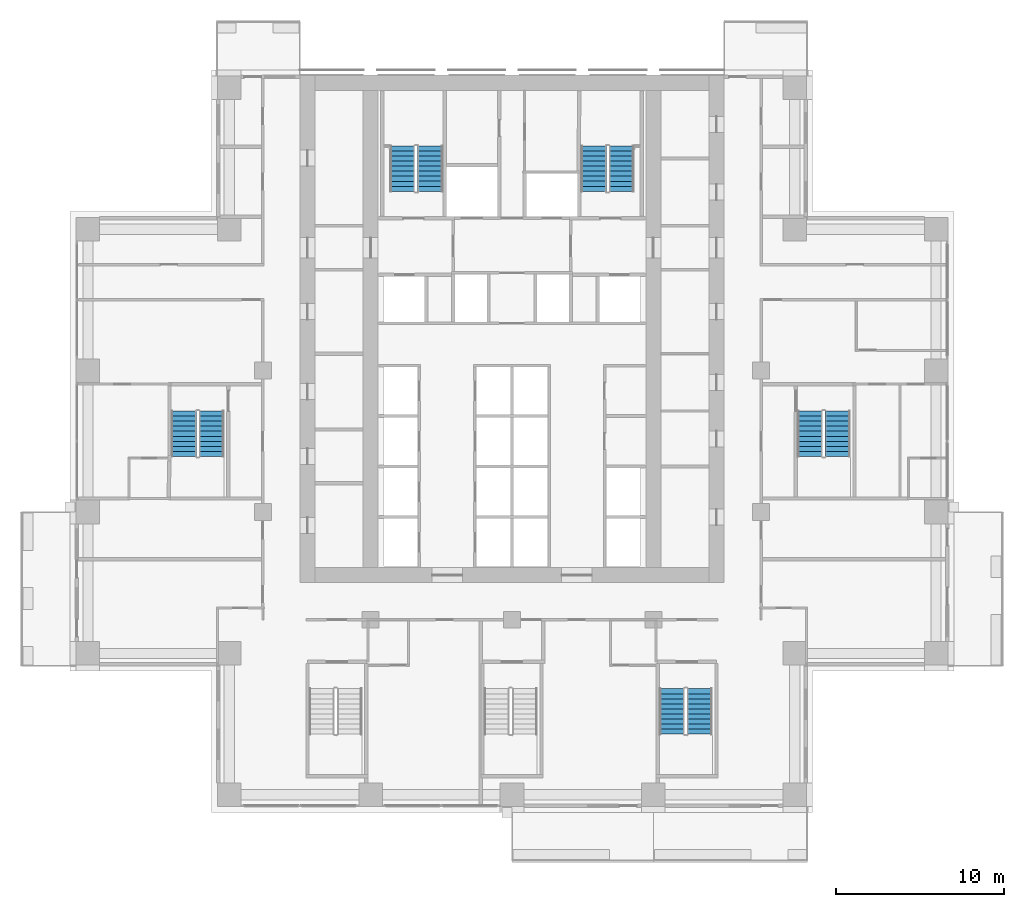
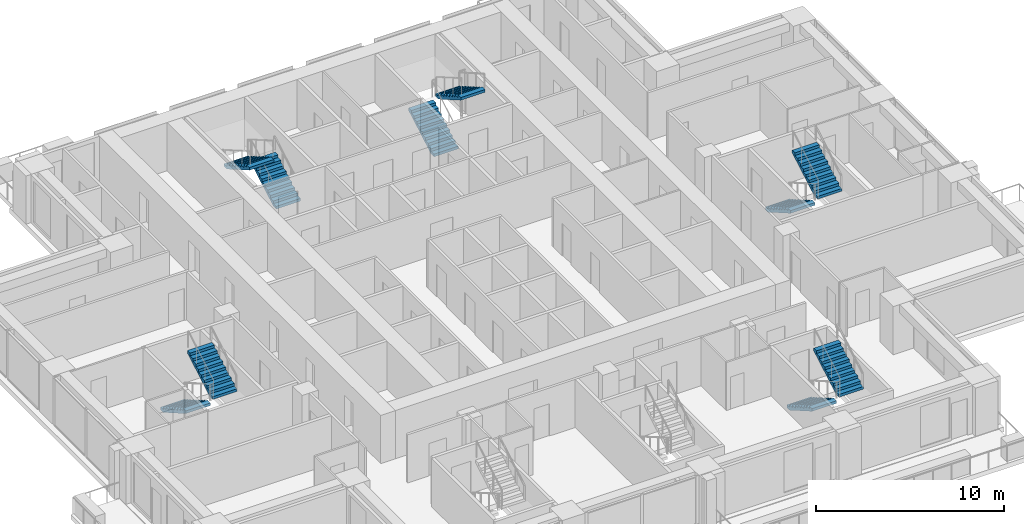
# One storey, part 14 of 17: 10 stair flights, 5 elements without a shape of their own.
"""IFC4 building model written with IfcOpenShell, lengths in metres."""

from ifc_helpers import new_model, si_unit, direction, frame, origin, place, context, subcontext, project, spatial, polyline, outline, extrude, material, type_object, element, aggregate, save


model = new_model("IFC4")

# Units and contexts
model_context = context("Model", 3, precision=1e-05, world=origin(), true_north=direction((0.0, 1.0)))
body_context = subcontext(model_context, "Body", "Model", "MODEL_VIEW")
ifc_project = project(units=[si_unit("LENGTHUNIT", "METRE"), si_unit("AREAUNIT", "SQUARE_METRE"), si_unit("VOLUMEUNIT", "CUBIC_METRE"), si_unit("PLANEANGLEUNIT", "RADIAN"), si_unit("MASSUNIT", "GRAM", prefix="KILO")], contexts=[model_context])

# Site, building, storey
site_placement = place(None, origin())
site = spatial("IfcSite", under=ifc_project, at=site_placement, CompositionType="ELEMENT")
building_placement = place(site_placement, origin())
building = spatial("IfcBuilding", under=site, at=building_placement, Name="Vermilion Ogive Tower", CompositionType="ELEMENT")
storey_placement = place(building_placement, frame((0.0, 0.0, 65.550048828125)))
storey = spatial("IfcBuildingStorey", under=building, at=storey_placement, Name="L15", CompositionType="ELEMENT", Elevation=65.550048828125)

# Stair, stair flights
ifc_material_1 = material(Name="Concrete B40", Category="concrete")
stair_type = type_object("IfcStairType", Name="Exit stair 1500", PredefinedType="HALF_TURN_STAIR", material=ifc_material_1)
stair_1_placement = place(storey_placement, origin())
stair_1 = element("IfcStair", 1, at=stair_1_placement, inside=storey, type_object=stair_type, Name="L15 Exit Stair ST1", PredefinedType="HALF_TURN_STAIR")
ifc_material_2 = material(Name="Concrete B40", Category="concrete")
stair_flight_type = type_object("IfcStairFlightType", Name="Stair flight 1500", PredefinedType="STRAIGHT", material=ifc_material_2)
stair_flight_1_placement = place(storey_placement, frame((-4.85009765625, 14.85009765625, 0.0), z_axis=(0.0, 0.0, 1.0), x_axis=(0.0, 1.0, 0.0)))
stair_flight_1 = element("IfcStairFlight", 2, at=stair_flight_1_placement, type_object=stair_flight_type, Name="ST1 flight 1", NumberOfRisers=10, NumberOfTreads=9, PredefinedType="STRAIGHT", RiserHeight=0.1725, TreadLength=0.3, context=body_context, shape_type="SweptSolid", body=[
    extrude(outline(polyline([(0.0, 0.0), (0.0, 0.172607421875), (0.300048828125, 0.172607421875), (0.300048828125, 0.344970703125), (0.60009765625, 0.344970703125), (0.60009765625, 0.517578125), (0.89990234375, 0.517578125), (0.89990234375, 0.68994140625), (1.199951171875, 0.68994140625), (1.199951171875, 0.862548828125), (1.5, 0.862548828125), (1.5, 1.034912109375), (1.800048828125, 1.034912109375), (1.800048828125, 1.20751953125), (2.10009765625, 1.20751953125), (2.10009765625, 1.3798828125), (2.39990234375, 1.3798828125), (2.39990234375, 1.552490234375), (2.699951171875, 1.552490234375), (2.699951171875, 1.72509765625), (2.699951171875, 1.379638671875), (0.30078125, 0.0), (0.0, 0.0)])), frame((0.0, 0.75, 0.0), z_axis=(0.0, -1.0, 0.0), x_axis=(1.0, 0.0, 0.0)), (0.0, 0.0, 1.0), 1.5),
])
stair_flight_2_placement = place(storey_placement, frame((-6.5, 17.550048828125, 1.724853515625), z_axis=(0.0, 0.0, 1.0), x_axis=(0.0, -1.0, 0.0)))
stair_flight_2 = element("IfcStairFlight", 3, at=stair_flight_2_placement, type_object=stair_flight_type, Name="ST1 flight 2", NumberOfRisers=10, NumberOfTreads=9, PredefinedType="STRAIGHT", RiserHeight=0.1725, TreadLength=0.3, context=body_context, shape_type="SweptSolid", body=[
    extrude(outline(polyline([(0.0, 0.0), (0.0, 0.172607421875), (0.300048828125, 0.172607421875), (0.300048828125, 0.344970703125), (0.60009765625, 0.344970703125), (0.60009765625, 0.517578125), (0.89990234375, 0.517578125), (0.89990234375, 0.68994140625), (1.199951171875, 0.68994140625), (1.199951171875, 0.862548828125), (1.5, 0.862548828125), (1.5, 1.034912109375), (1.800048828125, 1.034912109375), (1.800048828125, 1.20751953125), (2.10009765625, 1.20751953125), (2.10009765625, 1.3798828125), (2.39990234375, 1.3798828125), (2.39990234375, 1.552490234375), (2.699951171875, 1.552490234375), (2.699951171875, 1.72509765625), (2.699951171875, 1.379638671875), (0.30078125, 0.0), (0.0, 0.0)])), frame((0.0, 0.75, 0.0), z_axis=(0.0, -1.0, 0.0), x_axis=(1.0, 0.0, 0.0)), (0.0, 0.0, 1.0), 1.5),
])
aggregate(stair_1, [stair_flight_1, stair_flight_2])

stair_2_placement = place(storey_placement, origin())
stair_2 = element("IfcStair", 4, at=stair_2_placement, inside=storey, type_object=stair_type, Name="L15 Exit Stair ST2", PredefinedType="HALF_TURN_STAIR")
stair_flight_3_placement = place(storey_placement, frame((4.85009765625, 14.85009765625, 0.0), z_axis=(0.0, 0.0, 1.0), x_axis=(0.0, 1.0, 0.0)))
stair_flight_3 = element("IfcStairFlight", 5, at=stair_flight_3_placement, type_object=stair_flight_type, Name="ST2 flight 1", NumberOfRisers=10, NumberOfTreads=9, PredefinedType="STRAIGHT", RiserHeight=0.1725, TreadLength=0.3, context=body_context, shape_type="SweptSolid", body=[
    extrude(outline(polyline([(0.0, 0.0), (0.0, 0.172607421875), (0.300048828125, 0.172607421875), (0.300048828125, 0.344970703125), (0.60009765625, 0.344970703125), (0.60009765625, 0.517578125), (0.89990234375, 0.517578125), (0.89990234375, 0.68994140625), (1.199951171875, 0.68994140625), (1.199951171875, 0.862548828125), (1.5, 0.862548828125), (1.5, 1.034912109375), (1.800048828125, 1.034912109375), (1.800048828125, 1.20751953125), (2.10009765625, 1.20751953125), (2.10009765625, 1.3798828125), (2.39990234375, 1.3798828125), (2.39990234375, 1.552490234375), (2.699951171875, 1.552490234375), (2.699951171875, 1.72509765625), (2.699951171875, 1.379638671875), (0.30078125, 0.0), (0.0, 0.0)])), frame((0.0, 0.75, 0.0), z_axis=(0.0, -1.0, 0.0), x_axis=(1.0, 0.0, 0.0)), (0.0, 0.0, 1.0), 1.5),
])
stair_flight_4_placement = place(storey_placement, frame((6.5, 17.550048828125, 1.724853515625), z_axis=(0.0, 0.0, 1.0), x_axis=(0.0, -1.0, 0.0)))
stair_flight_4 = element("IfcStairFlight", 6, at=stair_flight_4_placement, type_object=stair_flight_type, Name="ST2 flight 2", NumberOfRisers=10, NumberOfTreads=9, PredefinedType="STRAIGHT", RiserHeight=0.1725, TreadLength=0.3, context=body_context, shape_type="SweptSolid", body=[
    extrude(outline(polyline([(0.0, 0.0), (0.0, 0.172607421875), (0.300048828125, 0.172607421875), (0.300048828125, 0.344970703125), (0.60009765625, 0.344970703125), (0.60009765625, 0.517578125), (0.89990234375, 0.517578125), (0.89990234375, 0.68994140625), (1.199951171875, 0.68994140625), (1.199951171875, 0.862548828125), (1.5, 0.862548828125), (1.5, 1.034912109375), (1.800048828125, 1.034912109375), (1.800048828125, 1.20751953125), (2.10009765625, 1.20751953125), (2.10009765625, 1.3798828125), (2.39990234375, 1.3798828125), (2.39990234375, 1.552490234375), (2.699951171875, 1.552490234375), (2.699951171875, 1.72509765625), (2.699951171875, 1.379638671875), (0.30078125, 0.0), (0.0, 0.0)])), frame((0.0, 0.75, 0.0), z_axis=(0.0, -1.0, 0.0), x_axis=(1.0, 0.0, 0.0)), (0.0, 0.0, 1.0), 1.5),
])
aggregate(stair_2, [stair_flight_3, stair_flight_4])

stair_3_placement = place(storey_placement, origin())
stair_3 = element("IfcStair", 7, at=stair_3_placement, inside=storey, type_object=stair_type, Name="L15 Exit Stair ST5", PredefinedType="HALF_TURN_STAIR")
stair_flight_5_placement = place(storey_placement, frame((9.5, -14.699951171875, 0.0), z_axis=(0.0, 0.0, 1.0), x_axis=(0.0, -1.0, 0.0)))
stair_flight_5 = element("IfcStairFlight", 8, at=stair_flight_5_placement, type_object=stair_flight_type, Name="ST5 flight 1", NumberOfRisers=10, NumberOfTreads=9, PredefinedType="STRAIGHT", RiserHeight=0.1725, TreadLength=0.3, context=body_context, shape_type="SweptSolid", body=[
    extrude(outline(polyline([(0.0, 0.0), (0.0, 0.172607421875), (0.300048828125, 0.172607421875), (0.300048828125, 0.344970703125), (0.60009765625, 0.344970703125), (0.60009765625, 0.517578125), (0.89990234375, 0.517578125), (0.89990234375, 0.68994140625), (1.199951171875, 0.68994140625), (1.199951171875, 0.862548828125), (1.5, 0.862548828125), (1.5, 1.034912109375), (1.800048828125, 1.034912109375), (1.800048828125, 1.20751953125), (2.10009765625, 1.20751953125), (2.10009765625, 1.3798828125), (2.39990234375, 1.3798828125), (2.39990234375, 1.552490234375), (2.699951171875, 1.552490234375), (2.699951171875, 1.72509765625), (2.699951171875, 1.379638671875), (0.30078125, 0.0), (0.0, 0.0)])), frame((0.0, 0.75, 0.0), z_axis=(0.0, -1.0, 0.0), x_axis=(1.0, 0.0, 0.0)), (0.0, 0.0, 1.0), 1.5),
])
stair_flight_6_placement = place(storey_placement, frame((11.14990234375, -17.39990234375, 1.724853515625), z_axis=(0.0, 0.0, 1.0), x_axis=(0.0, 1.0, 0.0)))
stair_flight_6 = element("IfcStairFlight", 9, at=stair_flight_6_placement, type_object=stair_flight_type, Name="ST5 flight 2", NumberOfRisers=10, NumberOfTreads=9, PredefinedType="STRAIGHT", RiserHeight=0.1725, TreadLength=0.3, context=body_context, shape_type="SweptSolid", body=[
    extrude(outline(polyline([(0.0, 0.0), (0.0, 0.172607421875), (0.300048828125, 0.172607421875), (0.300048828125, 0.344970703125), (0.60009765625, 0.344970703125), (0.60009765625, 0.517578125), (0.89990234375, 0.517578125), (0.89990234375, 0.68994140625), (1.199951171875, 0.68994140625), (1.199951171875, 0.862548828125), (1.5, 0.862548828125), (1.5, 1.034912109375), (1.800048828125, 1.034912109375), (1.800048828125, 1.20751953125), (2.10009765625, 1.20751953125), (2.10009765625, 1.3798828125), (2.39990234375, 1.3798828125), (2.39990234375, 1.552490234375), (2.699951171875, 1.552490234375), (2.699951171875, 1.72509765625), (2.699951171875, 1.379638671875), (0.30078125, 0.0), (0.0, 0.0)])), frame((0.0, 0.75, 0.0), z_axis=(0.0, -1.0, 0.0), x_axis=(1.0, 0.0, 0.0)), (0.0, 0.0, 1.0), 1.5),
])
aggregate(stair_3, [stair_flight_5, stair_flight_6])

stair_4_placement = place(storey_placement, origin())
stair_4 = element("IfcStair", 10, at=stair_4_placement, inside=storey, type_object=stair_type, Name="L15 Exit Stair ST8", PredefinedType="HALF_TURN_STAIR")
stair_flight_7_placement = place(storey_placement, frame((17.699951171875, 1.800048828125, 0.0), z_axis=(0.0, 0.0, 1.0), x_axis=(0.0, -1.0, 0.0)))
stair_flight_7 = element("IfcStairFlight", 11, at=stair_flight_7_placement, type_object=stair_flight_type, Name="ST8 flight 1", NumberOfRisers=10, NumberOfTreads=9, PredefinedType="STRAIGHT", RiserHeight=0.1725, TreadLength=0.3, context=body_context, shape_type="SweptSolid", body=[
    extrude(outline(polyline([(0.0, 0.0), (0.0, 0.172607421875), (0.300048828125, 0.172607421875), (0.300048828125, 0.344970703125), (0.60009765625, 0.344970703125), (0.60009765625, 0.517578125), (0.89990234375, 0.517578125), (0.89990234375, 0.68994140625), (1.199951171875, 0.68994140625), (1.199951171875, 0.862548828125), (1.5, 0.862548828125), (1.5, 1.034912109375), (1.800048828125, 1.034912109375), (1.800048828125, 1.20751953125), (2.10009765625, 1.20751953125), (2.10009765625, 1.3798828125), (2.39990234375, 1.3798828125), (2.39990234375, 1.552490234375), (2.699951171875, 1.552490234375), (2.699951171875, 1.72509765625), (2.699951171875, 1.379638671875), (0.30078125, 0.0), (0.0, 0.0)])), frame((0.0, 0.75, 0.0), z_axis=(0.0, -1.0, 0.0), x_axis=(1.0, 0.0, 0.0)), (0.0, 0.0, 1.0), 1.5),
])
stair_flight_8_placement = place(storey_placement, frame((19.35009765625, -0.89990234375, 1.724853515625), z_axis=(0.0, 0.0, 1.0), x_axis=(0.0, 1.0, 0.0)))
stair_flight_8 = element("IfcStairFlight", 12, at=stair_flight_8_placement, type_object=stair_flight_type, Name="ST8 flight 2", NumberOfRisers=10, NumberOfTreads=9, PredefinedType="STRAIGHT", RiserHeight=0.1725, TreadLength=0.3, context=body_context, shape_type="SweptSolid", body=[
    extrude(outline(polyline([(0.0, 0.0), (0.0, 0.172607421875), (0.300048828125, 0.172607421875), (0.300048828125, 0.344970703125), (0.60009765625, 0.344970703125), (0.60009765625, 0.517578125), (0.89990234375, 0.517578125), (0.89990234375, 0.68994140625), (1.199951171875, 0.68994140625), (1.199951171875, 0.862548828125), (1.5, 0.862548828125), (1.5, 1.034912109375), (1.800048828125, 1.034912109375), (1.800048828125, 1.20751953125), (2.10009765625, 1.20751953125), (2.10009765625, 1.3798828125), (2.39990234375, 1.3798828125), (2.39990234375, 1.552490234375), (2.699951171875, 1.552490234375), (2.699951171875, 1.72509765625), (2.699951171875, 1.379638671875), (0.30078125, 0.0), (0.0, 0.0)])), frame((0.0, 0.75, 0.0), z_axis=(0.0, -1.0, 0.0), x_axis=(1.0, 0.0, 0.0)), (0.0, 0.0, 1.0), 1.5),
])
aggregate(stair_4, [stair_flight_7, stair_flight_8])

stair_5_placement = place(storey_placement, origin())
stair_5 = element("IfcStair", 13, at=stair_5_placement, inside=storey, type_object=stair_type, Name="L15 Exit Stair ST9", PredefinedType="HALF_TURN_STAIR")
stair_flight_9_placement = place(storey_placement, frame((-19.5, 1.800048828125, 0.0), z_axis=(0.0, 0.0, 1.0), x_axis=(0.0, -1.0, 0.0)))
stair_flight_9 = element("IfcStairFlight", 14, at=stair_flight_9_placement, type_object=stair_flight_type, Name="ST9 flight 1", NumberOfRisers=10, NumberOfTreads=9, PredefinedType="STRAIGHT", RiserHeight=0.1725, TreadLength=0.3, context=body_context, shape_type="SweptSolid", body=[
    extrude(outline(polyline([(0.0, 0.0), (0.0, 0.172607421875), (0.300048828125, 0.172607421875), (0.300048828125, 0.344970703125), (0.60009765625, 0.344970703125), (0.60009765625, 0.517578125), (0.89990234375, 0.517578125), (0.89990234375, 0.68994140625), (1.199951171875, 0.68994140625), (1.199951171875, 0.862548828125), (1.5, 0.862548828125), (1.5, 1.034912109375), (1.800048828125, 1.034912109375), (1.800048828125, 1.20751953125), (2.10009765625, 1.20751953125), (2.10009765625, 1.3798828125), (2.39990234375, 1.3798828125), (2.39990234375, 1.552490234375), (2.699951171875, 1.552490234375), (2.699951171875, 1.72509765625), (2.699951171875, 1.379638671875), (0.30078125, 0.0), (0.0, 0.0)])), frame((0.0, 0.75, 0.0), z_axis=(0.0, -1.0, 0.0), x_axis=(1.0, 0.0, 0.0)), (0.0, 0.0, 1.0), 1.5),
])
stair_flight_10_placement = place(storey_placement, frame((-17.85009765625, -0.89990234375, 1.724853515625), z_axis=(0.0, 0.0, 1.0), x_axis=(0.0, 1.0, 0.0)))
stair_flight_10 = element("IfcStairFlight", 15, at=stair_flight_10_placement, type_object=stair_flight_type, Name="ST9 flight 2", NumberOfRisers=10, NumberOfTreads=9, PredefinedType="STRAIGHT", RiserHeight=0.1725, TreadLength=0.3, context=body_context, shape_type="SweptSolid", body=[
    extrude(outline(polyline([(0.0, 0.0), (0.0, 0.172607421875), (0.300048828125, 0.172607421875), (0.300048828125, 0.344970703125), (0.60009765625, 0.344970703125), (0.60009765625, 0.517578125), (0.89990234375, 0.517578125), (0.89990234375, 0.68994140625), (1.199951171875, 0.68994140625), (1.199951171875, 0.862548828125), (1.5, 0.862548828125), (1.5, 1.034912109375), (1.800048828125, 1.034912109375), (1.800048828125, 1.20751953125), (2.10009765625, 1.20751953125), (2.10009765625, 1.3798828125), (2.39990234375, 1.3798828125), (2.39990234375, 1.552490234375), (2.699951171875, 1.552490234375), (2.699951171875, 1.72509765625), (2.699951171875, 1.379638671875), (0.30078125, 0.0), (0.0, 0.0)])), frame((0.0, 0.75, 0.0), z_axis=(0.0, -1.0, 0.0), x_axis=(1.0, 0.0, 0.0)), (0.0, 0.0, 1.0), 1.5),
])
aggregate(stair_5, [stair_flight_9, stair_flight_10])

save(model, "model.ifc")
